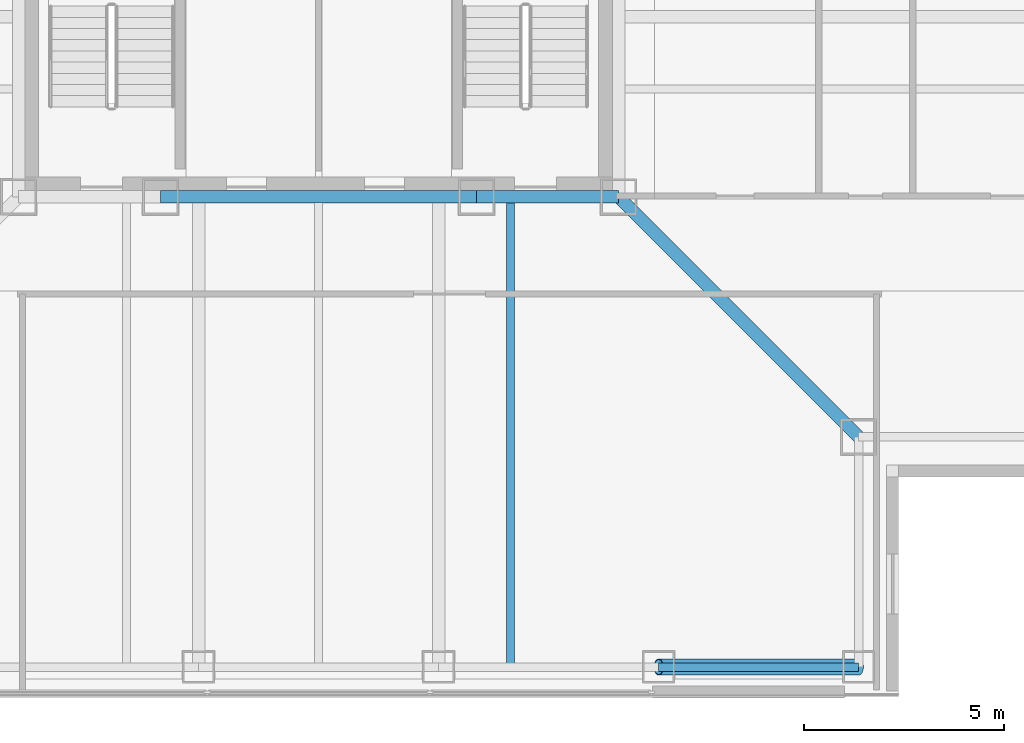
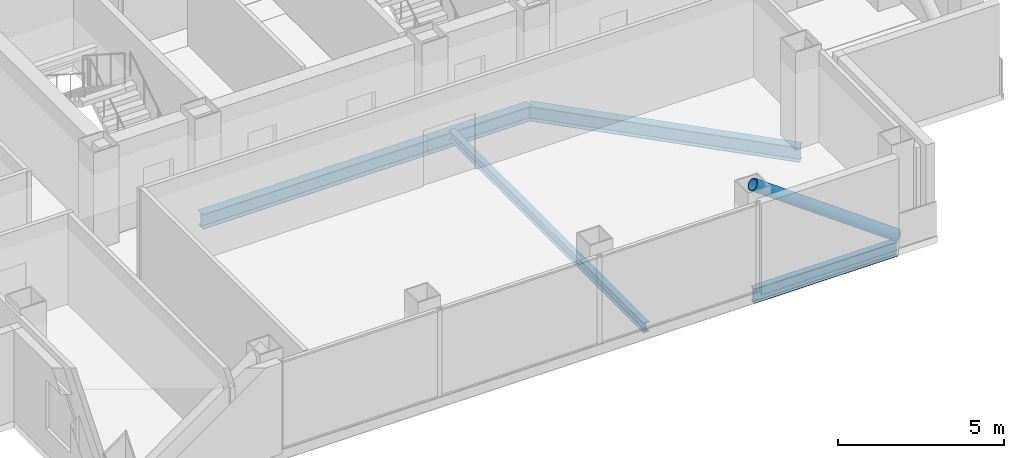
# One storey, part 3 of 16: 5 beams, 1 member.
"""IFC4 building model written with IfcOpenShell, lengths in metres."""

from ifc_helpers import new_model, si_unit, direction, frame, origin, origin_2d, place, context, subcontext, project, spatial, hollow_circle, i_section, extrude, material, material_profile, profile_set, type_object, element, save


model = new_model("IFC4")

# Units and contexts
model_context = context("Model", 3, precision=1e-05, world=origin(), true_north=direction((0.0, 1.0)))
body_context = subcontext(model_context, "Body", "Model", "MODEL_VIEW")
ifc_project = project(units=[si_unit("LENGTHUNIT", "METRE"), si_unit("AREAUNIT", "SQUARE_METRE"), si_unit("VOLUMEUNIT", "CUBIC_METRE"), si_unit("PLANEANGLEUNIT", "RADIAN"), si_unit("MASSUNIT", "GRAM", prefix="KILO")], contexts=[model_context])

# Site, building, storey
site_placement = place(None, origin())
site = spatial("IfcSite", under=ifc_project, at=site_placement, CompositionType="ELEMENT")
building_placement = place(site_placement, origin())
building = spatial("IfcBuilding", under=site, at=building_placement, Name="Trevonay Congress Spire", CompositionType="ELEMENT")
storey_placement = place(building_placement, frame((0.0, 0.0, 180.60009765625)))
storey = spatial("IfcBuildingStorey", under=building, at=storey_placement, Name="L46", CompositionType="ELEMENT", Elevation=180.60009765625)

# Beams
ifc_material_1 = material(Name="Steel ASTM A572 Grade 50", Category="steel")
ifc_material_profile_1 = material_profile(ifc_material_1, i_section(OverallWidth=0.31201171875, OverallDepth=0.54296875, WebThickness=0.0126953125, FlangeThickness=0.020263671875, FilletRadius=0.014892578125, at=origin_2d()), Name="W530x150")
ifc_profile_set_1 = profile_set([ifc_material_profile_1], Name="Steel ASTM A572 Grade 50")
beam_type_1 = type_object("IfcBeamType", Name="BM-GIRD-W530X150", PredefinedType="BEAM", material=ifc_profile_set_1)
beam_1_placement = place(storey_placement, frame((-3.949951171875, -7.5, -0.51171875), z_axis=(1.0, 0.0, 0.0), x_axis=(0.0, 1.0, 0.0)))
element("IfcBeam", 1, at=beam_1_placement, inside=storey, type_object=beam_type_1, Name="L46 structural beam BM-L46-CR-S2", PredefinedType="BEAM", context=body_context, shape_type="SweptSolid", body=[
    extrude(i_section(OverallWidth=0.31201171875, OverallDepth=0.54296875, WebThickness=0.0126953125, FlangeThickness=0.020263671875, FilletRadius=0.014892578125, at=origin_2d()), origin(), (0.0, 0.0, 1.0), 7.89990234375),
])
beam_2_placement = place(storey_placement, frame((3.949951171875, -7.5, -0.51171875), z_axis=(1.0, 0.0, 0.0), x_axis=(0.0, 1.0, 0.0)))
element("IfcBeam", 2, at=beam_2_placement, inside=storey, type_object=beam_type_1, Name="L46 structural beam BM-L46-CR-S3", PredefinedType="BEAM", context=body_context, shape_type="SweptSolid", body=[
    extrude(i_section(OverallWidth=0.31201171875, OverallDepth=0.54296875, WebThickness=0.0126953125, FlangeThickness=0.020263671875, FilletRadius=0.014892578125, at=origin_2d()), origin(), (0.0, 0.0, 1.0), 3.550048828125),
])
beam_3_placement = place(storey_placement, frame((7.5, -7.5, -0.51171875), z_axis=(0.707106781187, -0.707106781187, 0.0), x_axis=(0.707106781187, 0.707106781187, 0.0)))
element("IfcBeam", 3, at=beam_3_placement, inside=storey, type_object=beam_type_1, Name="L46 structural beam BM-L46-CDSE", PredefinedType="BEAM", context=body_context, shape_type="SweptSolid", body=[
    extrude(i_section(OverallWidth=0.31201171875, OverallDepth=0.54296875, WebThickness=0.0126953125, FlangeThickness=0.020263671875, FilletRadius=0.014892578125, at=origin_2d()), origin(), (0.0, 0.0, 1.0), 8.4853515625),
])
ifc_material_profile_2 = material_profile(ifc_material_1, i_section(OverallWidth=0.2119140625, OverallDepth=0.5439453125, WebThickness=0.01318359375, FlangeThickness=0.021240234375, FilletRadius=0.014892578125, at=origin_2d()), Name="W530x123")
ifc_profile_set_2 = profile_set([ifc_material_profile_2], Name="Steel ASTM A572 Grade 50")
beam_type_2 = type_object("IfcBeamType", Name="BM-RING-W530X123", PredefinedType="BEAM", material=ifc_profile_set_2)
beam_4_placement = place(storey_placement, frame((8.5, -19.25, -0.51220703125), z_axis=(1.0, 0.0, 0.0), x_axis=(0.0, 1.0, 0.0)))
element("IfcBeam", 4, at=beam_4_placement, inside=storey, type_object=beam_type_2, Name="L46 structural beam BM-L46-PS5", PredefinedType="BEAM", context=body_context, shape_type="SweptSolid", body=[
    extrude(i_section(OverallWidth=0.2119140625, OverallDepth=0.5439453125, WebThickness=0.01318359375, FlangeThickness=0.021240234375, FilletRadius=0.014892578125, at=origin_2d()), origin(), (0.0, 0.0, 1.0), 5.0),
])
ifc_material_profile_3 = material_profile(ifc_material_1, i_section(OverallWidth=0.205078125, OverallDepth=0.35400390625, WebThickness=0.009521484375, FlangeThickness=0.016845703125, FilletRadius=0.011962890625, at=origin_2d()), Name="W360x79")
ifc_profile_set_3 = profile_set([ifc_material_profile_3], Name="Steel ASTM A572 Grade 50")
beam_type_3 = type_object("IfcBeamType", Name="JS-COMP-W360X79", PredefinedType="JOIST", material=ifc_profile_set_3)
beam_5_placement = place(storey_placement, frame((4.800048828125, -19.25, -0.4169921875), z_axis=(0.0, 1.0, 0.0), x_axis=(-1.0, 0.0, 0.0)))
element("IfcBeam", 5, at=beam_5_placement, inside=storey, type_object=beam_type_3, Name="L46 structural beam JS-L46-NS-S3", PredefinedType="JOIST", context=body_context, shape_type="SweptSolid", body=[
    extrude(i_section(OverallWidth=0.205078125, OverallDepth=0.35400390625, WebThickness=0.009521484375, FlangeThickness=0.016845703125, FilletRadius=0.011962890625, at=origin_2d()), origin(), (0.0, 0.0, 1.0), 11.75),
])

# Member
ifc_material_2 = material(Name="Steel ASTM A500 Grade C", Category="steel")
ifc_material_profile_4 = material_profile(ifc_material_2, hollow_circle(Radius=0.203125, WallThickness=0.02001953125, at=origin_2d()), Name="CHS 406.4x20")
ifc_profile_set_4 = profile_set([ifc_material_profile_4], Name="Steel ASTM A500 Grade C")
member_type = type_object("IfcMemberType", Name="MBR-TUBE-CHS406", PredefinedType="BRACE", material=ifc_profile_set_4)
member_placement = place(storey_placement, frame((13.5, -19.25, -0.050048828125), z_axis=(-0.811545615365, 0.0, 0.584289067313), x_axis=(0.0, -1.0, 0.0)))
element("IfcMember", 6, at=member_placement, inside=storey, type_object=member_type, Name="L46 perimeter braced-tube diagonal S4", PredefinedType="BRACE", context=body_context, shape_type="SweptSolid", body=[
    extrude(hollow_circle(Radius=0.203125, WallThickness=0.02001953125, at=origin_2d()), origin(), (0.0, 0.0, 1.0), 6.1611328125),
])

save(model, "model.ifc")
